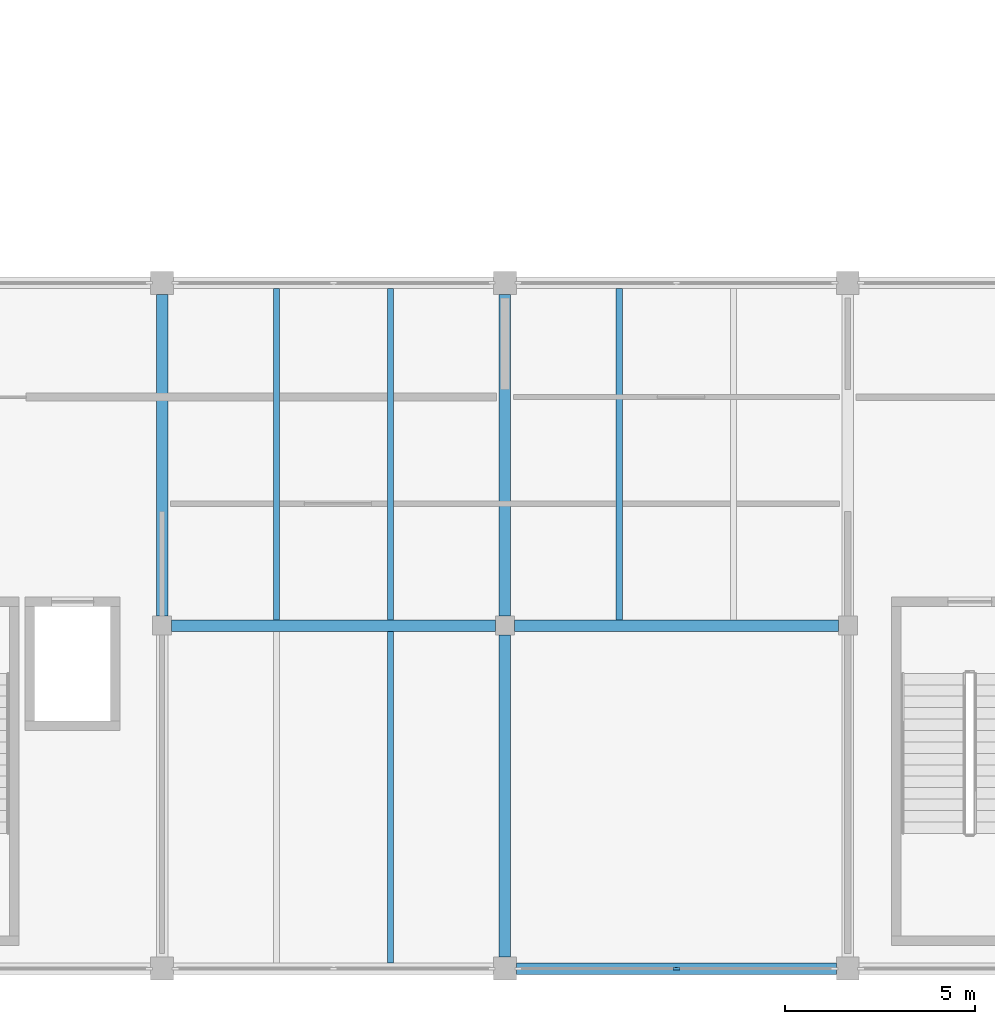
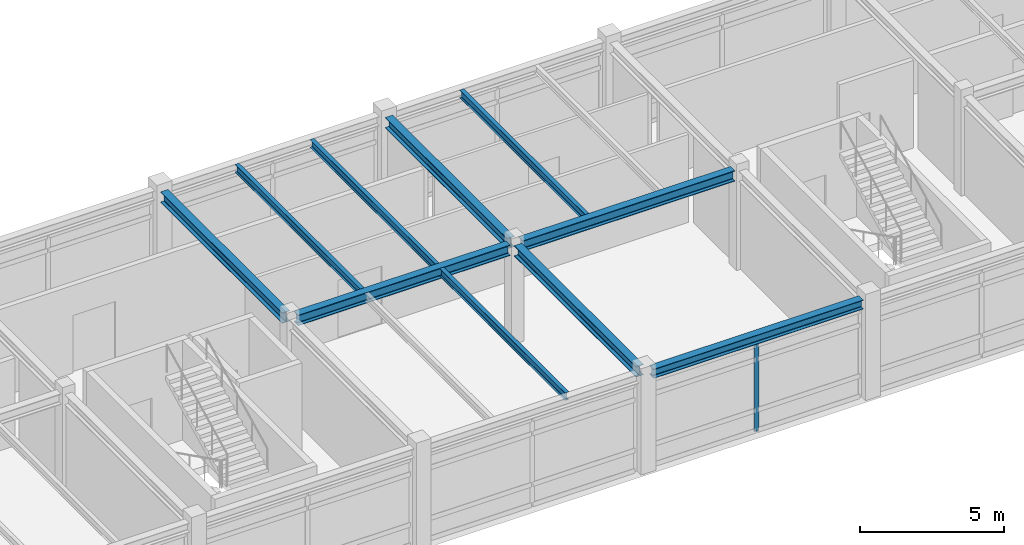
# One storey, part 6 of 33: 10 beams, 1 member, 1 element without a shape of its own.
"""IFC4 building model written with IfcOpenShell, lengths in metres."""

from ifc_helpers import new_model, si_unit, direction, frame, origin, origin_2d, place, context, subcontext, project, spatial, rectangle, i_section, extrude, material, material_profile, profile_set, type_object, element, aggregate, save


model = new_model("IFC4")

# Units and contexts
model_context = context("Model", 3, precision=1e-05, world=origin(), true_north=direction((0.0, 1.0)))
body_context = subcontext(model_context, "Body", "Model", "MODEL_VIEW")
ifc_project = project(units=[si_unit("LENGTHUNIT", "METRE"), si_unit("AREAUNIT", "SQUARE_METRE"), si_unit("VOLUMEUNIT", "CUBIC_METRE"), si_unit("PLANEANGLEUNIT", "RADIAN"), si_unit("MASSUNIT", "GRAM", prefix="KILO")], contexts=[model_context])

# Site, building, storey
site_placement = place(None, origin())
site = spatial("IfcSite", under=ifc_project, at=site_placement, CompositionType="ELEMENT")
building_placement = place(site_placement, origin())
building = spatial("IfcBuilding", under=site, at=building_placement, Name="Bozkorgan Art Gallery", CompositionType="ELEMENT")
storey_placement = place(building_placement, frame((0.0, 0.0, 19.5)))
storey = spatial("IfcBuildingStorey", under=building, at=storey_placement, Name="L04", CompositionType="ELEMENT", Elevation=19.5)

# Beams
ifc_material_1 = material(Name="Steel S355J2", Category="steel")
ifc_material_profile_1 = material_profile(ifc_material_1, i_section(OverallWidth=0.300048828125, OverallDepth=0.449951171875, WebThickness=0.013916015625, FlangeThickness=0.02587890625, FilletRadius=0.027099609375, at=origin_2d()), Name="HEB 450")
ifc_profile_set_1 = profile_set([ifc_material_profile_1], Name="Steel S355J2")
beam_type_1 = type_object("IfcBeamType", Name="BEAM-BM-53", PredefinedType="BEAM", material=ifc_profile_set_1)
for number, where, z_axis, x_axis, name in (
    (1, (20.25, 11.0, 3.955078125), (1.0, 0.0, 0.0), (0.0, 1.0, 0.0), "V1 L04 beam X (20-29, 11.0)"),
    (2, (29.25, 11.0, 3.955078125), (1.0, 0.0, 0.0), (0.0, 1.0, 0.0), "V1 L04 beam X (29-38, 11.0)"),
):
    element("IfcBeam", number, at=place(storey_placement, frame(where, z_axis=z_axis, x_axis=x_axis)), inside=storey, type_object=beam_type_1, Name=name, PredefinedType="BEAM", context=body_context, shape_type="SweptSolid", body=[
        extrude(i_section(OverallWidth=0.300048828125, OverallDepth=0.449951171875, WebThickness=0.013916015625, FlangeThickness=0.02587890625, FilletRadius=0.027099609375, at=origin_2d()), origin(), (0.0, 0.0, 1.0), 8.5),
    ])
for number, where, z_axis, x_axis, name in (
    (3, (20.0, 11.25, 3.955078125), (0.0, 1.0, 0.0), (-1.0, 0.0, 0.0), "V1 L04 beam Y (20, 11.0-20.0)"),
    (4, (29.0, 2.300048828125, 3.955078125), (0.0, 1.0, 0.0), (-1.0, 0.0, 0.0), "V1 L04 beam Y (29, 2.0-11.0)"),
    (5, (29.0, 11.25, 3.955078125), (0.0, 1.0, 0.0), (-1.0, 0.0, 0.0), "V1 L04 beam Y (29, 11.0-20.0)"),
):
    element("IfcBeam", number, at=place(storey_placement, frame(where, z_axis=z_axis, x_axis=x_axis)), inside=storey, type_object=beam_type_1, Name=name, PredefinedType="BEAM", context=body_context, shape_type="SweptSolid", body=[
        extrude(i_section(OverallWidth=0.300048828125, OverallDepth=0.449951171875, WebThickness=0.013916015625, FlangeThickness=0.02587890625, FilletRadius=0.027099609375, at=origin_2d()), origin(), (0.0, 0.0, 1.0), 8.449951171875),
    ])
ifc_material_profile_2 = material_profile(ifc_material_1, i_section(OverallWidth=0.159912109375, OverallDepth=0.330078125, WebThickness=0.007568359375, FlangeThickness=0.011474609375, FilletRadius=0.01806640625, at=origin_2d()), Name="IPE 330")
ifc_profile_set_2 = profile_set([ifc_material_profile_2], Name="Steel S355J2")
beam_type_2 = type_object("IfcBeamType", Name="BEAM-JS-33", PredefinedType="JOIST", material=ifc_profile_set_2)
for number, where, z_axis, x_axis, name in (
    (6, (26.0, 2.14990234375, 4.014892578125), (0.0, 1.0, 0.0), (-1.0, 0.0, 0.0), "V1 L04 secondary joist (20-29, 2.0-11.0) #2"),
    (7, (23.0, 11.14990234375, 4.014892578125), (0.0, 1.0, 0.0), (-1.0, 0.0, 0.0), "V1 L04 secondary joist (20-29, 11.0-20.0) #1"),
    (8, (26.0, 11.14990234375, 4.014892578125), (0.0, 1.0, 0.0), (-1.0, 0.0, 0.0), "V1 L04 secondary joist (20-29, 11.0-20.0) #2"),
    (9, (32.0, 11.14990234375, 4.014892578125), (0.0, 1.0, 0.0), (-1.0, 0.0, 0.0), "V1 L04 secondary joist (29-38, 11.0-20.0) #1"),
):
    element("IfcBeam", number, at=place(storey_placement, frame(where, z_axis=z_axis, x_axis=x_axis)), inside=storey, type_object=beam_type_2, Name=name, PredefinedType="JOIST", context=body_context, shape_type="SweptSolid", body=[
        extrude(i_section(OverallWidth=0.159912109375, OverallDepth=0.330078125, WebThickness=0.007568359375, FlangeThickness=0.011474609375, FilletRadius=0.01806640625, at=origin_2d()), origin(), (0.0, 0.0, 1.0), 8.7001953125),
    ])
ifc_material_profile_3 = material_profile(ifc_material_1, i_section(OverallWidth=0.300048828125, OverallDepth=0.389892578125, WebThickness=0.010986328125, FlangeThickness=0.01904296875, FilletRadius=0.027099609375, at=origin_2d()), Name="HEA 400")
ifc_profile_set_3 = profile_set([ifc_material_profile_3], Name="Steel S355J2")
beam_type_3 = type_object("IfcBeamType", Name="BEAM-SP-65", PredefinedType="SPANDREL", material=ifc_profile_set_3)
beam_placement = place(storey_placement, frame((29.300048828125, 2.0, 3.985107421875), z_axis=(1.0, 0.0, 0.0), x_axis=(0.0, 1.0, 0.0)))
element("IfcBeam", 10, at=beam_placement, inside=storey, type_object=beam_type_3, Name="V1 L04 spandrel X (29-38, 2.0)", PredefinedType="SPANDREL", context=body_context, shape_type="SweptSolid", body=[
    extrude(i_section(OverallWidth=0.300048828125, OverallDepth=0.389892578125, WebThickness=0.010986328125, FlangeThickness=0.01904296875, FilletRadius=0.027099609375, at=origin_2d()), origin(), (0.0, 0.0, 1.0), 8.39990234375),
])

# Curtain wall, member
ifc_material_2 = material(Name="Anodised Bronze Aluminium", Category="aluminium")
curtain_wall_type = type_object("IfcCurtainWallType", Name="CW-CW-71", PredefinedType="NOTDEFINED", material=ifc_material_2)
curtain_wall_placement = place(storey_placement, origin())
curtain_wall = element("IfcCurtainWall", 11, at=curtain_wall_placement, inside=storey, type_object=curtain_wall_type, Name="L04 unitised curtain wall CW-V1-L04-1S-07", PredefinedType="NOTDEFINED")
ifc_material_profile_4 = material_profile(ifc_material_2, rectangle(XDim=0.06494140625, YDim=0.179931640625, at=origin_2d()), Name="ALU MULLION 65x180")
ifc_profile_set_4 = profile_set([ifc_material_profile_4], Name="Anodised Bronze Aluminium")
member_type = type_object("IfcMemberType", Name="CWM-01", PredefinedType="MULLION", material=ifc_profile_set_4)
member_placement = place(storey_placement, frame((33.5, 2.0, 0.02001953125), z_axis=(0.0, 0.0, 1.0), x_axis=(0.0, 1.0, 0.0)))
member = element("IfcMember", 12, at=member_placement, type_object=member_type, Name="CW-71 mullion 2", PredefinedType="MULLION", context=body_context, shape_type="SweptSolid", body=[
    extrude(rectangle(XDim=0.06494140625, YDim=0.179931640625, at=origin_2d()), origin(), (0.0, 0.0, 1.0), 3.695068359375),
])
aggregate(curtain_wall, [member])

save(model, "model.ifc")
